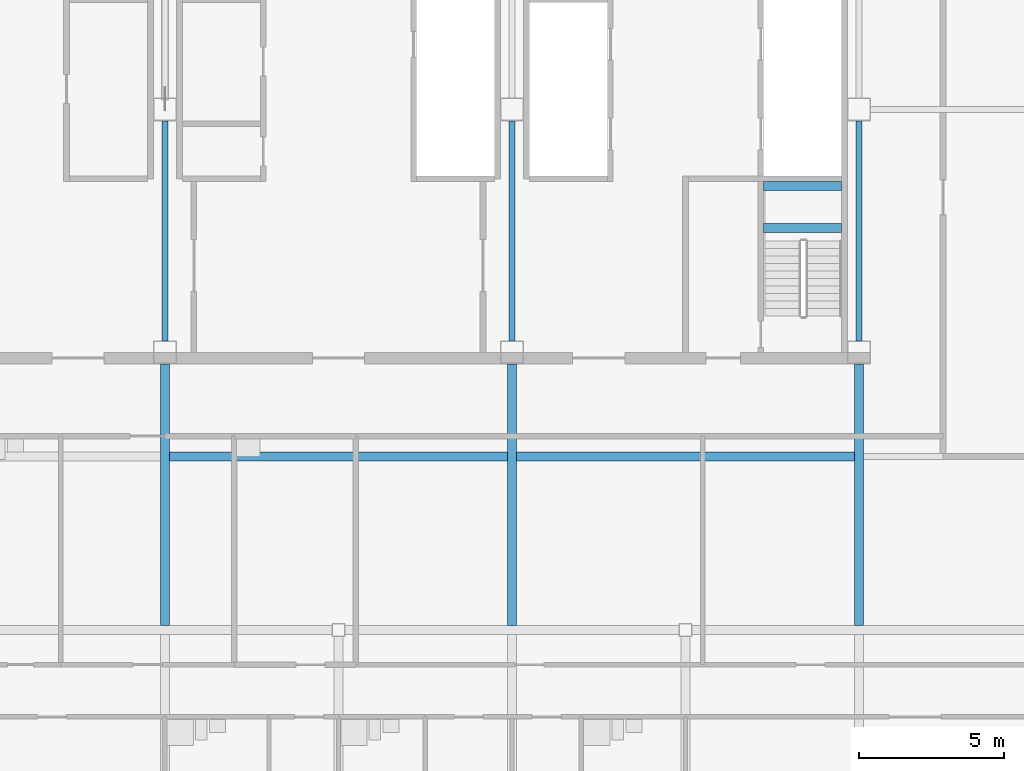
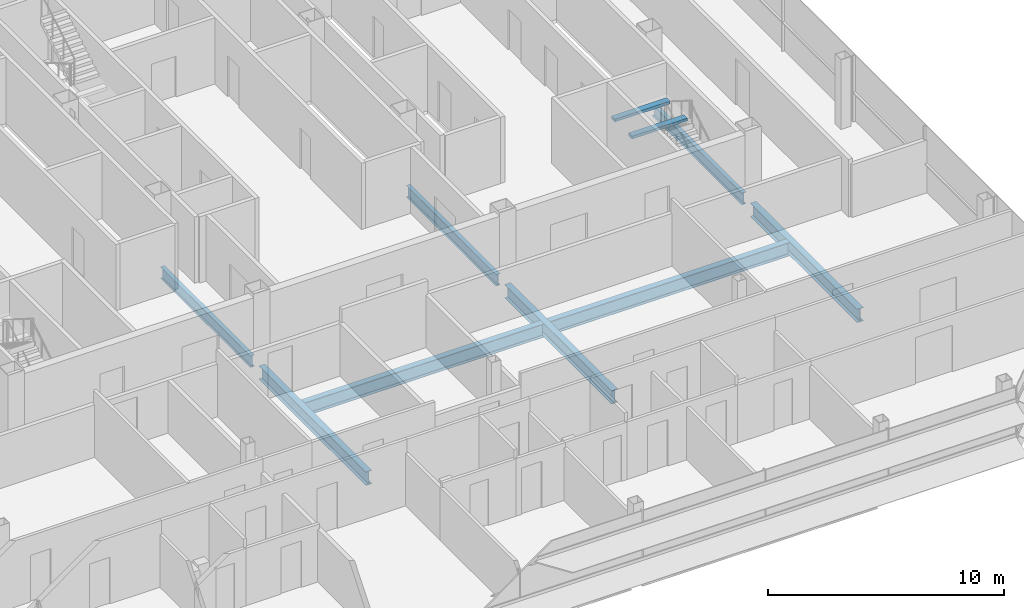
# One storey, part 12 of 28: 10 beams.
"""IFC4 building model written with IfcOpenShell, lengths in metres."""

from ifc_helpers import new_model, si_unit, direction, frame, origin, origin_2d, place, context, subcontext, project, spatial, rectangle, i_section, extrude, material, material_profile, profile_set, type_object, element, save


model = new_model("IFC4")

# Units and contexts
model_context = context("Model", 3, precision=1e-05, world=origin(), true_north=direction((0.0, 1.0)))
body_context = subcontext(model_context, "Body", "Model", "MODEL_VIEW")
ifc_project = project(units=[si_unit("LENGTHUNIT", "METRE"), si_unit("AREAUNIT", "SQUARE_METRE"), si_unit("VOLUMEUNIT", "CUBIC_METRE"), si_unit("PLANEANGLEUNIT", "RADIAN"), si_unit("MASSUNIT", "GRAM", prefix="KILO")], contexts=[model_context])

# Site, building, storey
site_placement = place(None, origin())
site = spatial("IfcSite", under=ifc_project, at=site_placement, CompositionType="ELEMENT")
building_placement = place(site_placement, origin())
building = spatial("IfcBuilding", under=site, at=building_placement, Name="Sorahane Residences", CompositionType="ELEMENT")
storey_placement = place(building_placement, frame((0.0, 0.0, 308.800048828125)))
storey = spatial("IfcBuildingStorey", under=building, at=storey_placement, Name="L73", CompositionType="ELEMENT", Elevation=308.800048828125)

# Beams
ifc_material_1 = material(Name="Concrete C40", Category="concrete")
ifc_material_profile_1 = material_profile(ifc_material_1, rectangle(XDim=0.300048828125, YDim=0.139892578125, at=origin_2d()), Name="300x140")
ifc_profile_set_1 = profile_set([ifc_material_profile_1], Name="Concrete C40")
beam_type_1 = type_object("IfcBeamType", Name="RC landing beam 300 x 140 Concrete C40", PredefinedType="BEAM", material=ifc_profile_set_1)
for number, where, z_axis, x_axis, name in (
    (1, (38.699951171875, 25.89990234375, 1.530029296875), (1.0, 0.0, 0.0), (0.0, 1.0, 0.0), "Landing beam"),
    (2, (38.699951171875, 27.35009765625, 1.530029296875), (1.0, 0.0, 0.0), (0.0, 1.0, 0.0), "Landing beam"),
):
    element("IfcBeam", number, at=place(storey_placement, frame(where, z_axis=z_axis, x_axis=x_axis)), inside=storey, type_object=beam_type_1, Name=name, PredefinedType="BEAM", context=body_context, shape_type="SweptSolid", body=[
        extrude(rectangle(XDim=0.300048828125, YDim=0.139892578125, at=origin_2d()), origin(), (0.0, 0.0, 1.0), 2.699951171875),
    ])
ifc_material_2 = material(Name="Steel Q355B", Category="steel")
ifc_material_profile_2 = material_profile(ifc_material_2, i_section(OverallWidth=0.199951171875, OverallDepth=0.60009765625, WebThickness=0.010986328125, FlangeThickness=0.01708984375, FilletRadius=0.02392578125, at=origin_2d()), Name="HN 600x200x11x17")
ifc_profile_set_2 = profile_set([ifc_material_profile_2], Name="Steel Q355B")
beam_type_2 = type_object("IfcBeamType", Name="Steel floor beam HN 600x200x11x17 Q355B", PredefinedType="BEAM", material=ifc_profile_set_2)
for number, where, z_axis, x_axis, name in (
    (3, (18.0, 22.0, -0.47998046875), (0.0, 1.0, 0.0), (-1.0, 0.0, 0.0), "Beam L73 042"),
    (4, (30.0, 22.0, -0.47998046875), (0.0, 1.0, 0.0), (-1.0, 0.0, 0.0), "Beam L73 050"),
    (5, (42.0, 22.0, -0.47998046875), (0.0, 1.0, 0.0), (-1.0, 0.0, 0.0), "Beam L73 058"),
):
    element("IfcBeam", number, at=place(storey_placement, frame(where, z_axis=z_axis, x_axis=x_axis)), inside=storey, type_object=beam_type_2, Name=name, PredefinedType="BEAM", context=body_context, shape_type="SweptSolid", body=[
        extrude(i_section(OverallWidth=0.199951171875, OverallDepth=0.60009765625, WebThickness=0.010986328125, FlangeThickness=0.01708984375, FilletRadius=0.02392578125, at=origin_2d()), origin(), (0.0, 0.0, 1.0), 7.60009765625),
    ])
ifc_material_3 = material(Name="Steel Q355B", Category="steel")
ifc_material_profile_3 = material_profile(ifc_material_3, i_section(OverallWidth=0.300048828125, OverallDepth=0.699951171875, WebThickness=0.012939453125, FlangeThickness=0.02392578125, FilletRadius=0.028076171875, at=origin_2d()), Name="HN 700x300x13x24")
ifc_profile_set_3 = profile_set([ifc_material_profile_3], Name="Steel Q355B")
beam_type_3 = type_object("IfcBeamType", Name="Steel floor beam HN 700x300x13x24 Q355B", PredefinedType="BEAM", material=ifc_profile_set_3)
for number, where, z_axis, x_axis, name in (
    (6, (18.0, 12.14990234375, -0.530029296875), (0.0, 1.0, 0.0), (-1.0, 0.0, 0.0), "Beam L73 041"),
    (7, (30.0, 12.14990234375, -0.530029296875), (0.0, 1.0, 0.0), (-1.0, 0.0, 0.0), "Beam L73 049"),
    (8, (42.0, 12.14990234375, -0.530029296875), (0.0, 1.0, 0.0), (-1.0, 0.0, 0.0), "Beam L73 057"),
):
    element("IfcBeam", number, at=place(storey_placement, frame(where, z_axis=z_axis, x_axis=x_axis)), inside=storey, type_object=beam_type_3, Name=name, PredefinedType="BEAM", context=body_context, shape_type="SweptSolid", body=[
        extrude(i_section(OverallWidth=0.300048828125, OverallDepth=0.699951171875, WebThickness=0.012939453125, FlangeThickness=0.02392578125, FilletRadius=0.028076171875, at=origin_2d()), origin(), (0.0, 0.0, 1.0), 9.050048828125),
    ])
for number, where, z_axis, x_axis, name in (
    (9, (18.14990234375, 18.0, -0.530029296875), (1.0, 0.0, 0.0), (0.0, 1.0, 0.0), "Beam L73 080"),
    (10, (30.14990234375, 18.0, -0.530029296875), (1.0, 0.0, 0.0), (0.0, 1.0, 0.0), "Beam L73 081"),
):
    element("IfcBeam", number, at=place(storey_placement, frame(where, z_axis=z_axis, x_axis=x_axis)), inside=storey, type_object=beam_type_3, Name=name, PredefinedType="BEAM", context=body_context, shape_type="SweptSolid", body=[
        extrude(i_section(OverallWidth=0.300048828125, OverallDepth=0.699951171875, WebThickness=0.012939453125, FlangeThickness=0.02392578125, FilletRadius=0.028076171875, at=origin_2d()), origin(), (0.0, 0.0, 1.0), 11.7001953125),
    ])

save(model, "model.ifc")
